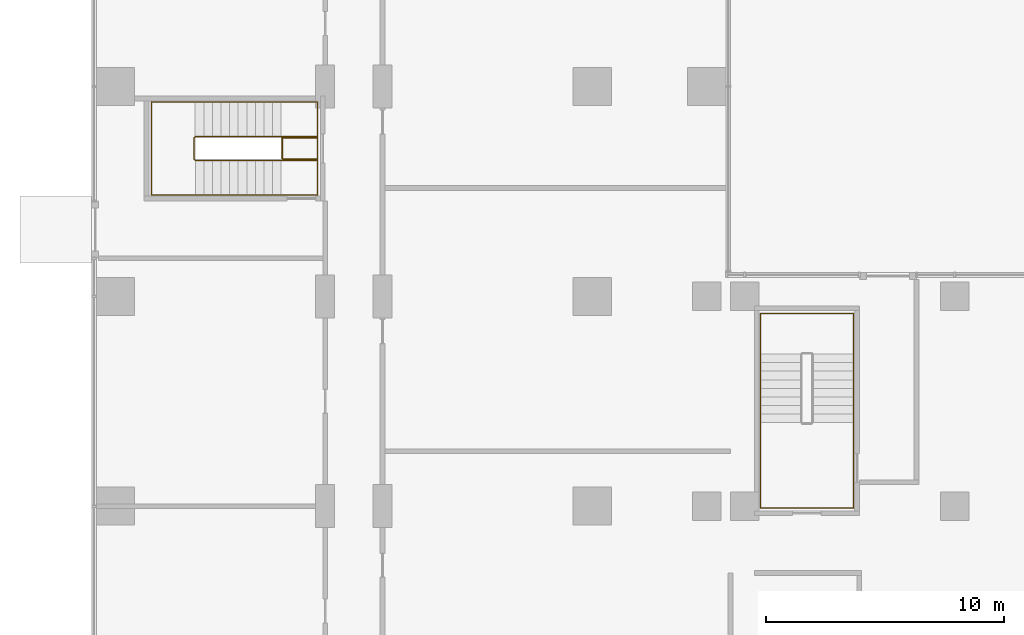
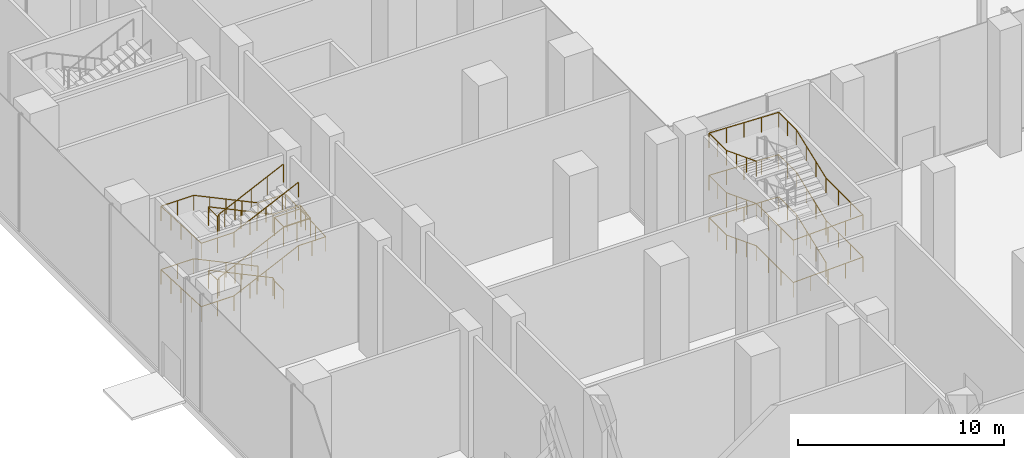
# One storey, part 35 of 41: 5 railings.
"""IFC4 building model written with IfcOpenShell, lengths in metres."""

from ifc_helpers import new_model, si_unit, direction, frame, origin, origin_2d, place, context, subcontext, project, spatial, circle, extrude, material, type_object, element, save


model = new_model("IFC4")

# Units and contexts
model_context = context("Model", 3, precision=1e-05, world=origin(), true_north=direction((0.0, 1.0)))
body_context = subcontext(model_context, "Body", "Model", "MODEL_VIEW")
ifc_project = project(units=[si_unit("LENGTHUNIT", "METRE"), si_unit("AREAUNIT", "SQUARE_METRE"), si_unit("VOLUMEUNIT", "CUBIC_METRE"), si_unit("PLANEANGLEUNIT", "RADIAN"), si_unit("MASSUNIT", "GRAM", prefix="KILO")], contexts=[model_context])

# Site, building, storey
site_placement = place(None, origin())
site = spatial("IfcSite", under=ifc_project, at=site_placement, CompositionType="ELEMENT")
building_placement = place(site_placement, origin())
building = spatial("IfcBuilding", under=site, at=building_placement, Name="Kemantara Hotel Tower", CompositionType="ELEMENT")
storey_placement = place(building_placement, origin())
storey = spatial("IfcBuildingStorey", under=building, at=storey_placement, Name="L00", CompositionType="ELEMENT", Elevation=0.0)

# Railings
ifc_material = material(Name="Stainless steel balustrade", Category="steel")
railing_type_1 = type_object("IfcRailingType", Name="Stair guard 1100 mm", PredefinedType="GUARDRAIL", material=ifc_material)
railing_1_placement = place(storey_placement, frame((7.949951171875, 59.5, 7.5)))
element("IfcRailing", 1, at=railing_1_placement, inside=storey, type_object=railing_type_1, Name="L00 ST4 stair guard 1", PredefinedType="GUARDRAIL", context=body_context, shape_type="SweptSolid", body=[
    extrude(circle(Radius=0.02392578125, at=origin_2d()), frame((0.0, 0.0, 1.076171875), z_axis=(-0.903796490667, 0.0, -0.427962502397), x_axis=(0.0, -1.0, 0.0)), (0.0, 0.0, 1.0), 3.983154296875),
    extrude(circle(Radius=0.02392578125, at=origin_2d()), frame((-3.599853515625, 0.0, -0.62841796875), z_axis=(-0.271230943075, 0.271230943075, -0.923508284228), x_axis=(-0.707106781187, -0.707106781187, 0.0)), (0.0, 0.0, 1.0), 0.1845703125),
    extrude(circle(Radius=0.02392578125, at=origin_2d()), frame((-3.64990234375, 0.050048828125, -0.798828125), z_axis=(0.0, 1.0, 0.0), x_axis=(-1.0, 0.0, 0.0)), (0.0, 0.0, 1.0), 0.89990234375),
    extrude(circle(Radius=0.02392578125, at=origin_2d()), frame((-3.64990234375, 0.949951171875, -0.798828125), z_axis=(0.707106781187, 0.707106781187, 0.0), x_axis=(-0.707106781187, 0.707106781187, 0.0)), (0.0, 0.0, 1.0), 0.07080078125),
    extrude(circle(Radius=0.02392578125, at=origin_2d()), frame((-3.599853515625, 1.0, -0.798828125), z_axis=(0.903796490667, 0.0, -0.427962502397), x_axis=(0.0, 1.0, 0.0)), (0.0, 0.0, 1.0), 3.983154296875),
    extrude(circle(Radius=0.02392578125, at=origin_2d()), frame((0.0, 1.0, -2.50341796875), z_axis=(1.0, 0.0, 0.0), x_axis=(0.0, 1.0, 0.0)), (0.0, 0.0, 1.0), 1.530029296875),
    extrude(circle(Radius=0.02392578125, at=origin_2d()), frame((1.530029296875, 1.0, -2.50341796875), z_axis=(0.0, -0.984288120544, -0.176569804199), x_axis=(1.0, 0.0, 0.0)), (0.0, 0.0, 1.0), 0.965087890625),
    extrude(circle(Radius=0.02392578125, at=origin_2d()), frame((1.530029296875, 0.050048828125, -2.673828125), z_axis=(-1.0, 0.0, 0.0), x_axis=(0.0, -1.0, 0.0)), (0.0, 0.0, 1.0), 1.47998046875),
    extrude(circle(Radius=0.02392578125, at=origin_2d()), frame((0.050048828125, 0.050048828125, -2.673828125), z_axis=(0.0, 1.0, 0.0), x_axis=(-1.0, 0.0, 0.0)), (0.0, 0.0, 1.0), 0.89990234375),
    extrude(circle(Radius=0.02392578125, at=origin_2d()), frame((0.050048828125, 0.949951171875, -2.673828125), z_axis=(1.0, 0.0, 0.0), x_axis=(0.0, 1.0, 0.0)), (0.0, 0.0, 1.0), 1.47998046875),
    extrude(circle(Radius=0.02392578125, at=origin_2d()), frame((1.530029296875, 0.949951171875, -2.673828125), z_axis=(0.0, -1.0, 0.0), x_axis=(1.0, 0.0, 0.0)), (0.0, 0.0, 1.0), 0.949951171875),
    extrude(circle(Radius=0.02392578125, at=origin_2d()), frame((1.530029296875, 0.0, -2.673828125), z_axis=(-1.0, 0.0, 0.0), x_axis=(0.0, -1.0, 0.0)), (0.0, 0.0, 1.0), 1.530029296875),
    extrude(circle(Radius=0.02392578125, at=origin_2d()), frame((0.0, 0.0, -2.673828125), z_axis=(-0.903796490667, 0.0, -0.427962502397), x_axis=(0.0, -1.0, 0.0)), (0.0, 0.0, 1.0), 3.983154296875),
    extrude(circle(Radius=0.02392578125, at=origin_2d()), frame((-3.599853515625, 0.0, -4.37841796875), z_axis=(-0.271230943075, 0.271230943075, -0.923508284228), x_axis=(-0.707106781187, -0.707106781187, 0.0)), (0.0, 0.0, 1.0), 0.1845703125),
    extrude(circle(Radius=0.02392578125, at=origin_2d()), frame((-3.64990234375, 0.050048828125, -4.548828125), z_axis=(0.0, 1.0, 0.0), x_axis=(-1.0, 0.0, 0.0)), (0.0, 0.0, 1.0), 0.89990234375),
    extrude(circle(Radius=0.02392578125, at=origin_2d()), frame((-3.64990234375, 0.949951171875, -4.548828125), z_axis=(0.707106781187, 0.707106781187, 0.0), x_axis=(-0.707106781187, 0.707106781187, 0.0)), (0.0, 0.0, 1.0), 0.07080078125),
    extrude(circle(Radius=0.02392578125, at=origin_2d()), frame((-3.599853515625, 1.0, -4.548828125), z_axis=(0.903796490667, 0.0, -0.427962502397), x_axis=(0.0, 1.0, 0.0)), (0.0, 0.0, 1.0), 3.983154296875),
    extrude(circle(Radius=0.02392578125, at=origin_2d()), frame((0.0, 1.0, -6.25341796875), z_axis=(0.271230943075, -0.271230943075, -0.923508284228), x_axis=(0.707106781187, 0.707106781187, 0.0)), (0.0, 0.0, 1.0), 0.1845703125),
    extrude(circle(Radius=0.02392578125, at=origin_2d()), frame((0.050048828125, 0.949951171875, -6.423828125), z_axis=(0.0, -1.0, 0.0), x_axis=(1.0, 0.0, 0.0)), (0.0, 0.0, 1.0), 0.89990234375),
    extrude(circle(Radius=0.02099609375, at=origin_2d()), origin(), (0.0, 0.0, 1.0), 1.052001953125),
    extrude(circle(Radius=0.02099609375, at=origin_2d()), frame((-0.89990234375, 0.0, -0.42626953125)), (0.0, 0.0, 1.0), 1.052001953125),
    extrude(circle(Radius=0.02099609375, at=origin_2d()), frame((-1.7998046875, 0.0, -0.852294921875)), (0.0, 0.0, 1.0), 1.052001953125),
    extrude(circle(Radius=0.02099609375, at=origin_2d()), frame((-2.699951171875, 0.0, -1.2783203125)), (0.0, 0.0, 1.0), 1.052001953125),
    extrude(circle(Radius=0.02099609375, at=origin_2d()), frame((-3.599853515625, 0.0, -1.70458984375)), (0.0, 0.0, 1.0), 1.052001953125),
    extrude(circle(Radius=0.02099609375, at=origin_2d()), frame((-3.64990234375, 0.050048828125, -1.875)), (0.0, 0.0, 1.0), 1.052001953125),
    extrude(circle(Radius=0.02099609375, at=origin_2d()), frame((-3.64990234375, 0.949951171875, -1.875)), (0.0, 0.0, 1.0), 1.052001953125),
    extrude(circle(Radius=0.02099609375, at=origin_2d()), frame((-3.599853515625, 1.0, -1.875)), (0.0, 0.0, 1.0), 1.052001953125),
    extrude(circle(Radius=0.02099609375, at=origin_2d()), frame((-2.699951171875, 1.0, -2.30126953125)), (0.0, 0.0, 1.0), 1.052001953125),
    extrude(circle(Radius=0.02099609375, at=origin_2d()), frame((-1.7998046875, 1.0, -2.727294921875)), (0.0, 0.0, 1.0), 1.052001953125),
    extrude(circle(Radius=0.02099609375, at=origin_2d()), frame((-0.89990234375, 1.0, -3.1533203125)), (0.0, 0.0, 1.0), 1.052001953125),
    extrude(circle(Radius=0.02099609375, at=origin_2d()), frame((0.0, 1.0, -3.57958984375)), (0.0, 0.0, 1.0), 1.052001953125),
    extrude(circle(Radius=0.02099609375, at=origin_2d()), frame((0.76513671875, 1.0, -3.57958984375)), (0.0, 0.0, 1.0), 1.052001953125),
    extrude(circle(Radius=0.02099609375, at=origin_2d()), frame((1.530029296875, 1.0, -3.57958984375)), (0.0, 0.0, 1.0), 1.052001953125),
    extrude(circle(Radius=0.02099609375, at=origin_2d()), frame((1.530029296875, 0.050048828125, -3.75)), (0.0, 0.0, 1.0), 1.052001953125),
    extrude(circle(Radius=0.02099609375, at=origin_2d()), frame((0.7900390625, 0.050048828125, -3.75)), (0.0, 0.0, 1.0), 1.052001953125),
    extrude(circle(Radius=0.02099609375, at=origin_2d()), frame((0.050048828125, 0.050048828125, -3.75)), (0.0, 0.0, 1.0), 1.052001953125),
    extrude(circle(Radius=0.02099609375, at=origin_2d()), frame((0.050048828125, 0.949951171875, -3.75)), (0.0, 0.0, 1.0), 1.052001953125),
    extrude(circle(Radius=0.02099609375, at=origin_2d()), frame((0.7900390625, 0.949951171875, -3.75)), (0.0, 0.0, 1.0), 1.052001953125),
    extrude(circle(Radius=0.02099609375, at=origin_2d()), frame((1.530029296875, 0.949951171875, -3.75)), (0.0, 0.0, 1.0), 1.052001953125),
    extrude(circle(Radius=0.02099609375, at=origin_2d()), frame((1.530029296875, 0.0, -3.75)), (0.0, 0.0, 1.0), 1.052001953125),
    extrude(circle(Radius=0.02099609375, at=origin_2d()), frame((0.76513671875, 0.0, -3.75)), (0.0, 0.0, 1.0), 1.052001953125),
    extrude(circle(Radius=0.02099609375, at=origin_2d()), frame((0.0, 0.0, -3.75)), (0.0, 0.0, 1.0), 1.052001953125),
    extrude(circle(Radius=0.02099609375, at=origin_2d()), frame((-0.89990234375, 0.0, -4.17626953125)), (0.0, 0.0, 1.0), 1.052001953125),
    extrude(circle(Radius=0.02099609375, at=origin_2d()), frame((-1.7998046875, 0.0, -4.602294921875)), (0.0, 0.0, 1.0), 1.052001953125),
    extrude(circle(Radius=0.02099609375, at=origin_2d()), frame((-2.699951171875, 0.0, -5.0283203125)), (0.0, 0.0, 1.0), 1.052001953125),
    extrude(circle(Radius=0.02099609375, at=origin_2d()), frame((-3.599853515625, 0.0, -5.45458984375)), (0.0, 0.0, 1.0), 1.052001953125),
    extrude(circle(Radius=0.02099609375, at=origin_2d()), frame((-3.64990234375, 0.050048828125, -5.625)), (0.0, 0.0, 1.0), 1.052001953125),
    extrude(circle(Radius=0.02099609375, at=origin_2d()), frame((-3.64990234375, 0.949951171875, -5.625)), (0.0, 0.0, 1.0), 1.052001953125),
    extrude(circle(Radius=0.02099609375, at=origin_2d()), frame((-3.599853515625, 1.0, -5.625)), (0.0, 0.0, 1.0), 1.052001953125),
    extrude(circle(Radius=0.02099609375, at=origin_2d()), frame((-2.699951171875, 1.0, -6.05126953125)), (0.0, 0.0, 1.0), 1.052001953125),
    extrude(circle(Radius=0.02099609375, at=origin_2d()), frame((-1.7998046875, 1.0, -6.477294921875)), (0.0, 0.0, 1.0), 1.052001953125),
    extrude(circle(Radius=0.02099609375, at=origin_2d()), frame((-0.89990234375, 1.0, -6.9033203125)), (0.0, 0.0, 1.0), 1.052001953125),
    extrude(circle(Radius=0.02099609375, at=origin_2d()), frame((0.0, 1.0, -7.32958984375)), (0.0, 0.0, 1.0), 1.052001953125),
    extrude(circle(Radius=0.02099609375, at=origin_2d()), frame((0.050048828125, 0.949951171875, -7.5)), (0.0, 0.0, 1.0), 1.052001953125),
    extrude(circle(Radius=0.02099609375, at=origin_2d()), frame((0.050048828125, 0.050048828125, -7.5)), (0.0, 0.0, 1.0), 1.052001953125),
])
railing_type_2 = type_object("IfcRailingType", Name="Stair handrail 900 mm", PredefinedType="HANDRAIL", material=ifc_material)
railing_2_placement = place(storey_placement, frame((7.949951171875, 61.949951171875, 0.17041015625)))
element("IfcRailing", 2, at=railing_2_placement, inside=storey, type_object=railing_type_2, Name="L00 ST4 stair handrail 1", PredefinedType="HANDRAIL", context=body_context, shape_type="SweptSolid", body=[
    extrude(circle(Radius=0.02392578125, at=origin_2d()), frame((0.0, 0.0, 0.8759765625), z_axis=(-0.903796490667, 0.0, 0.427962502397), x_axis=(0.0, -1.0, 0.0)), (0.0, 0.0, 1.0), 3.983154296875),
    extrude(circle(Radius=0.02392578125, at=origin_2d()), frame((-3.599853515625, 0.0, 2.58056640625), z_axis=(-1.0, 0.0, 0.0), x_axis=(0.0, -1.0, 0.0)), (0.0, 0.0, 1.0), 1.830078125),
    extrude(circle(Radius=0.02392578125, at=origin_2d()), frame((-5.429931640625, 0.0, 2.58056640625), z_axis=(0.0, -0.999046694451, 0.043654350365), x_axis=(1.0, 0.0, 0.0)), (0.0, 0.0, 1.0), 3.903564453125),
    extrude(circle(Radius=0.02392578125, at=origin_2d()), frame((-5.429931640625, -3.89990234375, 2.7509765625), z_axis=(1.0, 0.0, 0.0), x_axis=(0.0, 1.0, 0.0)), (0.0, 0.0, 1.0), 1.830078125),
    extrude(circle(Radius=0.02392578125, at=origin_2d()), frame((-3.599853515625, -3.89990234375, 2.7509765625), z_axis=(0.903796490667, 0.0, 0.427962502397), x_axis=(0.0, 1.0, 0.0)), (0.0, 0.0, 1.0), 3.983154296875),
    extrude(circle(Radius=0.02099609375, at=origin_2d()), origin(), (0.0, 0.0, 1.0), 0.851806640625),
    extrude(circle(Radius=0.02099609375, at=origin_2d()), frame((-0.89990234375, 0.0, 0.42626953125)), (0.0, 0.0, 1.0), 0.851806640625),
    extrude(circle(Radius=0.02099609375, at=origin_2d()), frame((-1.7998046875, 0.0, 0.852294921875)), (0.0, 0.0, 1.0), 0.851806640625),
    extrude(circle(Radius=0.02099609375, at=origin_2d()), frame((-2.699951171875, 0.0, 1.2783203125)), (0.0, 0.0, 1.0), 0.851806640625),
    extrude(circle(Radius=0.02099609375, at=origin_2d()), frame((-3.599853515625, 0.0, 1.70458984375)), (0.0, 0.0, 1.0), 0.851806640625),
    extrude(circle(Radius=0.02099609375, at=origin_2d()), frame((-4.514892578125, 0.0, 1.70458984375)), (0.0, 0.0, 1.0), 0.851806640625),
    extrude(circle(Radius=0.02099609375, at=origin_2d()), frame((-5.429931640625, 0.0, 1.70458984375)), (0.0, 0.0, 1.0), 0.851806640625),
    extrude(circle(Radius=0.02099609375, at=origin_2d()), frame((-5.429931640625, -0.97509765625, 1.7470703125)), (0.0, 0.0, 1.0), 0.851806640625),
    extrude(circle(Radius=0.02099609375, at=origin_2d()), frame((-5.429931640625, -1.949951171875, 1.789794921875)), (0.0, 0.0, 1.0), 0.851806640625),
    extrude(circle(Radius=0.02099609375, at=origin_2d()), frame((-5.429931640625, -2.9248046875, 1.83251953125)), (0.0, 0.0, 1.0), 0.851806640625),
    extrude(circle(Radius=0.02099609375, at=origin_2d()), frame((-5.429931640625, -3.89990234375, 1.875)), (0.0, 0.0, 1.0), 0.851806640625),
    extrude(circle(Radius=0.02099609375, at=origin_2d()), frame((-4.514892578125, -3.89990234375, 1.875)), (0.0, 0.0, 1.0), 0.851806640625),
    extrude(circle(Radius=0.02099609375, at=origin_2d()), frame((-3.599853515625, -3.89990234375, 1.875)), (0.0, 0.0, 1.0), 0.851806640625),
    extrude(circle(Radius=0.02099609375, at=origin_2d()), frame((-2.699951171875, -3.89990234375, 2.30126953125)), (0.0, 0.0, 1.0), 0.851806640625),
    extrude(circle(Radius=0.02099609375, at=origin_2d()), frame((-1.7998046875, -3.89990234375, 2.727294921875)), (0.0, 0.0, 1.0), 0.851806640625),
    extrude(circle(Radius=0.02099609375, at=origin_2d()), frame((-0.89990234375, -3.89990234375, 3.1533203125)), (0.0, 0.0, 1.0), 0.851806640625),
    extrude(circle(Radius=0.02099609375, at=origin_2d()), frame((0.0, -3.89990234375, 3.57958984375)), (0.0, 0.0, 1.0), 0.851806640625),
])
railing_3_placement = place(storey_placement, frame((7.949951171875, 58.050048828125, 3.75)))
element("IfcRailing", 3, at=railing_3_placement, inside=storey, type_object=railing_type_2, Name="L00 ST4 stair handrail 2", PredefinedType="HANDRAIL", context=body_context, shape_type="SweptSolid", body=[
    extrude(circle(Radius=0.02392578125, at=origin_2d()), frame((0.0, 0.0, 0.8759765625), z_axis=(1.0, 0.0, 0.0), x_axis=(0.0, 1.0, 0.0)), (0.0, 0.0, 1.0), 1.530029296875),
    extrude(circle(Radius=0.02392578125, at=origin_2d()), frame((1.530029296875, 0.0, 0.8759765625), z_axis=(0.0, 0.999046694451, 0.043654350365), x_axis=(-1.0, 0.0, 0.0)), (0.0, 0.0, 1.0), 3.903564453125),
    extrude(circle(Radius=0.02392578125, at=origin_2d()), frame((1.530029296875, 3.89990234375, 1.04638671875), z_axis=(-1.0, 0.0, 0.0), x_axis=(0.0, -1.0, 0.0)), (0.0, 0.0, 1.0), 1.530029296875),
    extrude(circle(Radius=0.02392578125, at=origin_2d()), frame((0.0, 3.89990234375, 1.04638671875), z_axis=(-0.903796490667, 0.0, 0.427962502397), x_axis=(0.0, -1.0, 0.0)), (0.0, 0.0, 1.0), 3.983154296875),
    extrude(circle(Radius=0.02392578125, at=origin_2d()), frame((-3.599853515625, 3.89990234375, 2.7509765625), z_axis=(-1.0, 0.0, 0.0), x_axis=(0.0, -1.0, 0.0)), (0.0, 0.0, 1.0), 1.830078125),
    extrude(circle(Radius=0.02392578125, at=origin_2d()), frame((-5.429931640625, 3.89990234375, 2.7509765625), z_axis=(0.0, -0.999046694451, 0.043654350365), x_axis=(1.0, 0.0, 0.0)), (0.0, 0.0, 1.0), 3.903564453125),
    extrude(circle(Radius=0.02392578125, at=origin_2d()), frame((-5.429931640625, 0.0, 2.92138671875), z_axis=(1.0, 0.0, 0.0), x_axis=(0.0, 1.0, 0.0)), (0.0, 0.0, 1.0), 1.830078125),
    extrude(circle(Radius=0.02392578125, at=origin_2d()), frame((-3.599853515625, 0.0, 2.92138671875), z_axis=(0.903796490667, 0.0, 0.427962502397), x_axis=(0.0, 1.0, 0.0)), (0.0, 0.0, 1.0), 3.983154296875),
    extrude(circle(Radius=0.02099609375, at=origin_2d()), origin(), (0.0, 0.0, 1.0), 0.851806640625),
    extrude(circle(Radius=0.02099609375, at=origin_2d()), frame((0.76513671875, 0.0, 0.0)), (0.0, 0.0, 1.0), 0.851806640625),
    extrude(circle(Radius=0.02099609375, at=origin_2d()), frame((1.530029296875, 0.0, 0.0)), (0.0, 0.0, 1.0), 0.851806640625),
    extrude(circle(Radius=0.02099609375, at=origin_2d()), frame((1.530029296875, 0.97509765625, 0.04248046875)), (0.0, 0.0, 1.0), 0.851806640625),
    extrude(circle(Radius=0.02099609375, at=origin_2d()), frame((1.530029296875, 1.949951171875, 0.085205078125)), (0.0, 0.0, 1.0), 0.851806640625),
    extrude(circle(Radius=0.02099609375, at=origin_2d()), frame((1.530029296875, 2.9248046875, 0.1279296875)), (0.0, 0.0, 1.0), 0.851806640625),
    extrude(circle(Radius=0.02099609375, at=origin_2d()), frame((1.530029296875, 3.89990234375, 0.17041015625)), (0.0, 0.0, 1.0), 0.851806640625),
    extrude(circle(Radius=0.02099609375, at=origin_2d()), frame((0.76513671875, 3.89990234375, 0.17041015625)), (0.0, 0.0, 1.0), 0.851806640625),
    extrude(circle(Radius=0.02099609375, at=origin_2d()), frame((0.0, 3.89990234375, 0.17041015625)), (0.0, 0.0, 1.0), 0.851806640625),
    extrude(circle(Radius=0.02099609375, at=origin_2d()), frame((-0.89990234375, 3.89990234375, 0.5966796875)), (0.0, 0.0, 1.0), 0.851806640625),
    extrude(circle(Radius=0.02099609375, at=origin_2d()), frame((-1.7998046875, 3.89990234375, 1.022705078125)), (0.0, 0.0, 1.0), 0.851806640625),
    extrude(circle(Radius=0.02099609375, at=origin_2d()), frame((-2.699951171875, 3.89990234375, 1.44873046875)), (0.0, 0.0, 1.0), 0.851806640625),
    extrude(circle(Radius=0.02099609375, at=origin_2d()), frame((-3.599853515625, 3.89990234375, 1.875)), (0.0, 0.0, 1.0), 0.851806640625),
    extrude(circle(Radius=0.02099609375, at=origin_2d()), frame((-4.514892578125, 3.89990234375, 1.875)), (0.0, 0.0, 1.0), 0.851806640625),
    extrude(circle(Radius=0.02099609375, at=origin_2d()), frame((-5.429931640625, 3.89990234375, 1.875)), (0.0, 0.0, 1.0), 0.851806640625),
    extrude(circle(Radius=0.02099609375, at=origin_2d()), frame((-5.429931640625, 2.9248046875, 1.91748046875)), (0.0, 0.0, 1.0), 0.851806640625),
    extrude(circle(Radius=0.02099609375, at=origin_2d()), frame((-5.429931640625, 1.949951171875, 1.960205078125)), (0.0, 0.0, 1.0), 0.851806640625),
    extrude(circle(Radius=0.02099609375, at=origin_2d()), frame((-5.429931640625, 0.97509765625, 2.0029296875)), (0.0, 0.0, 1.0), 0.851806640625),
    extrude(circle(Radius=0.02099609375, at=origin_2d()), frame((-5.429931640625, 0.0, 2.04541015625)), (0.0, 0.0, 1.0), 0.851806640625),
    extrude(circle(Radius=0.02099609375, at=origin_2d()), frame((-4.514892578125, 0.0, 2.04541015625)), (0.0, 0.0, 1.0), 0.851806640625),
    extrude(circle(Radius=0.02099609375, at=origin_2d()), frame((-3.599853515625, 0.0, 2.04541015625)), (0.0, 0.0, 1.0), 0.851806640625),
    extrude(circle(Radius=0.02099609375, at=origin_2d()), frame((-2.699951171875, 0.0, 2.4716796875)), (0.0, 0.0, 1.0), 0.851806640625),
    extrude(circle(Radius=0.02099609375, at=origin_2d()), frame((-1.7998046875, 0.0, 2.897705078125)), (0.0, 0.0, 1.0), 0.851806640625),
    extrude(circle(Radius=0.02099609375, at=origin_2d()), frame((-0.89990234375, 0.0, 3.32373046875)), (0.0, 0.0, 1.0), 0.851806640625),
    extrude(circle(Radius=0.02099609375, at=origin_2d()), frame((0.0, 0.0, 3.75)), (0.0, 0.0, 1.0), 0.851806640625),
])
railing_4_placement = place(storey_placement, frame((31.949951171875, 48.5, 0.138916015625)))
element("IfcRailing", 4, at=railing_4_placement, inside=storey, type_object=railing_type_2, Name="L00 PS2 stair handrail 1", PredefinedType="HANDRAIL", context=body_context, shape_type="SweptSolid", body=[
    extrude(circle(Radius=0.02392578125, at=origin_2d()), frame((0.0, 0.0, 0.8759765625), z_axis=(0.0, 0.932972064118, 0.359948784656), x_axis=(-1.0, 0.0, 0.0)), (0.0, 0.0, 1.0), 3.086669921875),
    extrude(circle(Radius=0.02392578125, at=origin_2d()), frame((0.0, 2.8798828125, 1.98681640625), z_axis=(0.0, 1.0, 0.0), x_axis=(-1.0, 0.0, 0.0)), (0.0, 0.0, 1.0), 1.7001953125),
    extrude(circle(Radius=0.02392578125, at=origin_2d()), frame((0.0, 4.580078125, 1.98681640625), z_axis=(-0.999366197222, 0.0, 0.035597806825), x_axis=(0.0, -1.0, 0.0)), (0.0, 0.0, 1.0), 3.90234375),
    extrude(circle(Radius=0.02392578125, at=origin_2d()), frame((-3.89990234375, 4.580078125, 2.1259765625), z_axis=(0.0, -1.0, 0.0), x_axis=(1.0, 0.0, 0.0)), (0.0, 0.0, 1.0), 1.7001953125),
    extrude(circle(Radius=0.02392578125, at=origin_2d()), frame((-3.89990234375, 2.8798828125, 2.1259765625), z_axis=(0.0, -0.932972064118, 0.359948784656), x_axis=(1.0, 0.0, 0.0)), (0.0, 0.0, 1.0), 3.086669921875),
    extrude(circle(Radius=0.02392578125, at=origin_2d()), frame((-3.89990234375, 0.0, 3.23681640625), z_axis=(0.0, -1.0, 0.0), x_axis=(1.0, 0.0, 0.0)), (0.0, 0.0, 1.0), 3.580078125),
    extrude(circle(Radius=0.02099609375, at=origin_2d()), origin(), (0.0, 0.0, 1.0), 0.851806640625),
    extrude(circle(Radius=0.02099609375, at=origin_2d()), frame((0.0, 0.9599609375, 0.370361328125)), (0.0, 0.0, 1.0), 0.851806640625),
    extrude(circle(Radius=0.02099609375, at=origin_2d()), frame((0.0, 1.919921875, 0.74072265625)), (0.0, 0.0, 1.0), 0.851806640625),
    extrude(circle(Radius=0.02099609375, at=origin_2d()), frame((0.0, 2.8798828125, 1.111083984375)), (0.0, 0.0, 1.0), 0.851806640625),
    extrude(circle(Radius=0.02099609375, at=origin_2d()), frame((0.0, 3.72998046875, 1.111083984375)), (0.0, 0.0, 1.0), 0.851806640625),
    extrude(circle(Radius=0.02099609375, at=origin_2d()), frame((0.0, 4.580078125, 1.111083984375)), (0.0, 0.0, 1.0), 0.851806640625),
    extrude(circle(Radius=0.02099609375, at=origin_2d()), frame((-0.97509765625, 4.580078125, 1.145751953125)), (0.0, 0.0, 1.0), 0.851806640625),
    extrude(circle(Radius=0.02099609375, at=origin_2d()), frame((-1.949951171875, 4.580078125, 1.1806640625)), (0.0, 0.0, 1.0), 0.851806640625),
    extrude(circle(Radius=0.02099609375, at=origin_2d()), frame((-2.9248046875, 4.580078125, 1.21533203125)), (0.0, 0.0, 1.0), 0.851806640625),
    extrude(circle(Radius=0.02099609375, at=origin_2d()), frame((-3.89990234375, 4.580078125, 1.25)), (0.0, 0.0, 1.0), 0.851806640625),
    extrude(circle(Radius=0.02099609375, at=origin_2d()), frame((-3.89990234375, 3.72998046875, 1.25)), (0.0, 0.0, 1.0), 0.851806640625),
    extrude(circle(Radius=0.02099609375, at=origin_2d()), frame((-3.89990234375, 2.8798828125, 1.25)), (0.0, 0.0, 1.0), 0.851806640625),
    extrude(circle(Radius=0.02099609375, at=origin_2d()), frame((-3.89990234375, 1.919921875, 1.620361328125)), (0.0, 0.0, 1.0), 0.851806640625),
    extrude(circle(Radius=0.02099609375, at=origin_2d()), frame((-3.89990234375, 0.9599609375, 1.99072265625)), (0.0, 0.0, 1.0), 0.851806640625),
    extrude(circle(Radius=0.02099609375, at=origin_2d()), frame((-3.89990234375, 0.0, 2.361083984375)), (0.0, 0.0, 1.0), 0.851806640625),
    extrude(circle(Radius=0.02099609375, at=origin_2d()), frame((-3.89990234375, -1.193359375, 2.361083984375)), (0.0, 0.0, 1.0), 0.851806640625),
    extrude(circle(Radius=0.02099609375, at=origin_2d()), frame((-3.89990234375, -2.38671875, 2.361083984375)), (0.0, 0.0, 1.0), 0.851806640625),
    extrude(circle(Radius=0.02099609375, at=origin_2d()), frame((-3.89990234375, -3.580078125, 2.361083984375)), (0.0, 0.0, 1.0), 0.851806640625),
])
railing_5_placement = place(storey_placement, frame((28.050048828125, 44.919921875, 2.5)))
element("IfcRailing", 5, at=railing_5_placement, inside=storey, type_object=railing_type_2, Name="L00 PS2 stair handrail 2", PredefinedType="HANDRAIL", context=body_context, shape_type="SweptSolid", body=[
    extrude(circle(Radius=0.02392578125, at=origin_2d()), frame((0.0, 0.0, 0.8759765625), z_axis=(0.999366197222, 0.0, 0.035597806825), x_axis=(0.0, 1.0, 0.0)), (0.0, 0.0, 1.0), 3.90234375),
    extrude(circle(Radius=0.02392578125, at=origin_2d()), frame((3.89990234375, 0.0, 1.0146484375), z_axis=(0.0, 1.0, 0.0), x_axis=(-1.0, 0.0, 0.0)), (0.0, 0.0, 1.0), 3.580078125),
    extrude(circle(Radius=0.02392578125, at=origin_2d()), frame((3.89990234375, 3.580078125, 1.0146484375), z_axis=(0.0, 0.932972064118, 0.359948784656), x_axis=(-1.0, 0.0, 0.0)), (0.0, 0.0, 1.0), 3.086669921875),
    extrude(circle(Radius=0.02392578125, at=origin_2d()), frame((3.89990234375, 6.4599609375, 2.1259765625), z_axis=(0.0, 1.0, 0.0), x_axis=(-1.0, 0.0, 0.0)), (0.0, 0.0, 1.0), 1.7001953125),
    extrude(circle(Radius=0.02392578125, at=origin_2d()), frame((3.89990234375, 8.16015625, 2.1259765625), z_axis=(-0.999366197222, 0.0, 0.035597806825), x_axis=(0.0, -1.0, 0.0)), (0.0, 0.0, 1.0), 3.90234375),
    extrude(circle(Radius=0.02392578125, at=origin_2d()), frame((0.0, 8.16015625, 2.2646484375), z_axis=(0.0, -1.0, 0.0), x_axis=(1.0, 0.0, 0.0)), (0.0, 0.0, 1.0), 1.7001953125),
    extrude(circle(Radius=0.02392578125, at=origin_2d()), frame((0.0, 6.4599609375, 2.2646484375), z_axis=(0.0, -0.932972064118, 0.359948784656), x_axis=(1.0, 0.0, 0.0)), (0.0, 0.0, 1.0), 3.086669921875),
    extrude(circle(Radius=0.02392578125, at=origin_2d()), frame((0.0, 3.580078125, 3.3759765625), z_axis=(0.0, -1.0, 0.0), x_axis=(1.0, 0.0, 0.0)), (0.0, 0.0, 1.0), 3.580078125),
    extrude(circle(Radius=0.02392578125, at=origin_2d()), frame((0.0, 0.0, 3.3759765625), z_axis=(0.999366197222, 0.0, 0.035597806825), x_axis=(0.0, 1.0, 0.0)), (0.0, 0.0, 1.0), 3.90234375),
    extrude(circle(Radius=0.02392578125, at=origin_2d()), frame((3.89990234375, 0.0, 3.5146484375), z_axis=(0.0, 1.0, 0.0), x_axis=(-1.0, 0.0, 0.0)), (0.0, 0.0, 1.0), 3.580078125),
    extrude(circle(Radius=0.02392578125, at=origin_2d()), frame((3.89990234375, 3.580078125, 3.5146484375), z_axis=(0.0, 0.932972064118, 0.359948784656), x_axis=(-1.0, 0.0, 0.0)), (0.0, 0.0, 1.0), 3.086669921875),
    extrude(circle(Radius=0.02392578125, at=origin_2d()), frame((3.89990234375, 6.4599609375, 4.6259765625), z_axis=(0.0, 1.0, 0.0), x_axis=(-1.0, 0.0, 0.0)), (0.0, 0.0, 1.0), 1.7001953125),
    extrude(circle(Radius=0.02392578125, at=origin_2d()), frame((3.89990234375, 8.16015625, 4.6259765625), z_axis=(-0.999366197222, 0.0, 0.035597806825), x_axis=(0.0, -1.0, 0.0)), (0.0, 0.0, 1.0), 3.90234375),
    extrude(circle(Radius=0.02392578125, at=origin_2d()), frame((0.0, 8.16015625, 4.7646484375), z_axis=(0.0, -1.0, 0.0), x_axis=(1.0, 0.0, 0.0)), (0.0, 0.0, 1.0), 1.7001953125),
    extrude(circle(Radius=0.02392578125, at=origin_2d()), frame((0.0, 6.4599609375, 4.7646484375), z_axis=(0.0, -0.932972064118, 0.359948784656), x_axis=(1.0, 0.0, 0.0)), (0.0, 0.0, 1.0), 3.086669921875),
    extrude(circle(Radius=0.02099609375, at=origin_2d()), origin(), (0.0, 0.0, 1.0), 0.851806640625),
    extrude(circle(Radius=0.02099609375, at=origin_2d()), frame((0.97509765625, 0.0, 0.03466796875)), (0.0, 0.0, 1.0), 0.851806640625),
    extrude(circle(Radius=0.02099609375, at=origin_2d()), frame((1.949951171875, 0.0, 0.0693359375)), (0.0, 0.0, 1.0), 0.851806640625),
    extrude(circle(Radius=0.02099609375, at=origin_2d()), frame((2.9248046875, 0.0, 0.104248046875)), (0.0, 0.0, 1.0), 0.851806640625),
    extrude(circle(Radius=0.02099609375, at=origin_2d()), frame((3.89990234375, 0.0, 0.138916015625)), (0.0, 0.0, 1.0), 0.851806640625),
    extrude(circle(Radius=0.02099609375, at=origin_2d()), frame((3.89990234375, 1.193359375, 0.138916015625)), (0.0, 0.0, 1.0), 0.851806640625),
    extrude(circle(Radius=0.02099609375, at=origin_2d()), frame((3.89990234375, 2.38671875, 0.138916015625)), (0.0, 0.0, 1.0), 0.851806640625),
    extrude(circle(Radius=0.02099609375, at=origin_2d()), frame((3.89990234375, 3.580078125, 0.138916015625)), (0.0, 0.0, 1.0), 0.851806640625),
    extrude(circle(Radius=0.02099609375, at=origin_2d()), frame((3.89990234375, 4.5400390625, 0.50927734375)), (0.0, 0.0, 1.0), 0.851806640625),
    extrude(circle(Radius=0.02099609375, at=origin_2d()), frame((3.89990234375, 5.5, 0.879638671875)), (0.0, 0.0, 1.0), 0.851806640625),
    extrude(circle(Radius=0.02099609375, at=origin_2d()), frame((3.89990234375, 6.4599609375, 1.25)), (0.0, 0.0, 1.0), 0.851806640625),
    extrude(circle(Radius=0.02099609375, at=origin_2d()), frame((3.89990234375, 7.31005859375, 1.25)), (0.0, 0.0, 1.0), 0.851806640625),
    extrude(circle(Radius=0.02099609375, at=origin_2d()), frame((3.89990234375, 8.16015625, 1.25)), (0.0, 0.0, 1.0), 0.851806640625),
    extrude(circle(Radius=0.02099609375, at=origin_2d()), frame((2.9248046875, 8.16015625, 1.28466796875)), (0.0, 0.0, 1.0), 0.851806640625),
    extrude(circle(Radius=0.02099609375, at=origin_2d()), frame((1.949951171875, 8.16015625, 1.3193359375)), (0.0, 0.0, 1.0), 0.851806640625),
    extrude(circle(Radius=0.02099609375, at=origin_2d()), frame((0.97509765625, 8.16015625, 1.354248046875)), (0.0, 0.0, 1.0), 0.851806640625),
    extrude(circle(Radius=0.02099609375, at=origin_2d()), frame((0.0, 8.16015625, 1.388916015625)), (0.0, 0.0, 1.0), 0.851806640625),
    extrude(circle(Radius=0.02099609375, at=origin_2d()), frame((0.0, 7.31005859375, 1.388916015625)), (0.0, 0.0, 1.0), 0.851806640625),
    extrude(circle(Radius=0.02099609375, at=origin_2d()), frame((0.0, 6.4599609375, 1.388916015625)), (0.0, 0.0, 1.0), 0.851806640625),
    extrude(circle(Radius=0.02099609375, at=origin_2d()), frame((0.0, 5.5, 1.75927734375)), (0.0, 0.0, 1.0), 0.851806640625),
    extrude(circle(Radius=0.02099609375, at=origin_2d()), frame((0.0, 4.5400390625, 2.129638671875)), (0.0, 0.0, 1.0), 0.851806640625),
    extrude(circle(Radius=0.02099609375, at=origin_2d()), frame((0.0, 3.580078125, 2.5)), (0.0, 0.0, 1.0), 0.851806640625),
    extrude(circle(Radius=0.02099609375, at=origin_2d()), frame((0.0, 2.38671875, 2.5)), (0.0, 0.0, 1.0), 0.851806640625),
    extrude(circle(Radius=0.02099609375, at=origin_2d()), frame((0.0, 1.193359375, 2.5)), (0.0, 0.0, 1.0), 0.851806640625),
    extrude(circle(Radius=0.02099609375, at=origin_2d()), frame((0.0, 0.0, 2.5)), (0.0, 0.0, 1.0), 0.851806640625),
    extrude(circle(Radius=0.02099609375, at=origin_2d()), frame((0.97509765625, 0.0, 2.53466796875)), (0.0, 0.0, 1.0), 0.851806640625),
    extrude(circle(Radius=0.02099609375, at=origin_2d()), frame((1.949951171875, 0.0, 2.5693359375)), (0.0, 0.0, 1.0), 0.851806640625),
    extrude(circle(Radius=0.02099609375, at=origin_2d()), frame((2.9248046875, 0.0, 2.604248046875)), (0.0, 0.0, 1.0), 0.851806640625),
    extrude(circle(Radius=0.02099609375, at=origin_2d()), frame((3.89990234375, 0.0, 2.638916015625)), (0.0, 0.0, 1.0), 0.851806640625),
    extrude(circle(Radius=0.02099609375, at=origin_2d()), frame((3.89990234375, 1.193359375, 2.638916015625)), (0.0, 0.0, 1.0), 0.851806640625),
    extrude(circle(Radius=0.02099609375, at=origin_2d()), frame((3.89990234375, 2.38671875, 2.638916015625)), (0.0, 0.0, 1.0), 0.851806640625),
    extrude(circle(Radius=0.02099609375, at=origin_2d()), frame((3.89990234375, 3.580078125, 2.638916015625)), (0.0, 0.0, 1.0), 0.851806640625),
    extrude(circle(Radius=0.02099609375, at=origin_2d()), frame((3.89990234375, 4.5400390625, 3.00927734375)), (0.0, 0.0, 1.0), 0.851806640625),
    extrude(circle(Radius=0.02099609375, at=origin_2d()), frame((3.89990234375, 5.5, 3.379638671875)), (0.0, 0.0, 1.0), 0.851806640625),
    extrude(circle(Radius=0.02099609375, at=origin_2d()), frame((3.89990234375, 6.4599609375, 3.75)), (0.0, 0.0, 1.0), 0.851806640625),
    extrude(circle(Radius=0.02099609375, at=origin_2d()), frame((3.89990234375, 7.31005859375, 3.75)), (0.0, 0.0, 1.0), 0.851806640625),
    extrude(circle(Radius=0.02099609375, at=origin_2d()), frame((3.89990234375, 8.16015625, 3.75)), (0.0, 0.0, 1.0), 0.851806640625),
    extrude(circle(Radius=0.02099609375, at=origin_2d()), frame((2.9248046875, 8.16015625, 3.78466796875)), (0.0, 0.0, 1.0), 0.851806640625),
    extrude(circle(Radius=0.02099609375, at=origin_2d()), frame((1.949951171875, 8.16015625, 3.8193359375)), (0.0, 0.0, 1.0), 0.851806640625),
    extrude(circle(Radius=0.02099609375, at=origin_2d()), frame((0.97509765625, 8.16015625, 3.854248046875)), (0.0, 0.0, 1.0), 0.851806640625),
    extrude(circle(Radius=0.02099609375, at=origin_2d()), frame((0.0, 8.16015625, 3.888916015625)), (0.0, 0.0, 1.0), 0.851806640625),
    extrude(circle(Radius=0.02099609375, at=origin_2d()), frame((0.0, 7.31005859375, 3.888916015625)), (0.0, 0.0, 1.0), 0.851806640625),
    extrude(circle(Radius=0.02099609375, at=origin_2d()), frame((0.0, 6.4599609375, 3.888916015625)), (0.0, 0.0, 1.0), 0.851806640625),
    extrude(circle(Radius=0.02099609375, at=origin_2d()), frame((0.0, 5.5, 4.25927734375)), (0.0, 0.0, 1.0), 0.851806640625),
    extrude(circle(Radius=0.02099609375, at=origin_2d()), frame((0.0, 4.5400390625, 4.629638671875)), (0.0, 0.0, 1.0), 0.851806640625),
    extrude(circle(Radius=0.02099609375, at=origin_2d()), frame((0.0, 3.580078125, 5.0)), (0.0, 0.0, 1.0), 0.851806640625),
])

save(model, "model.ifc")
